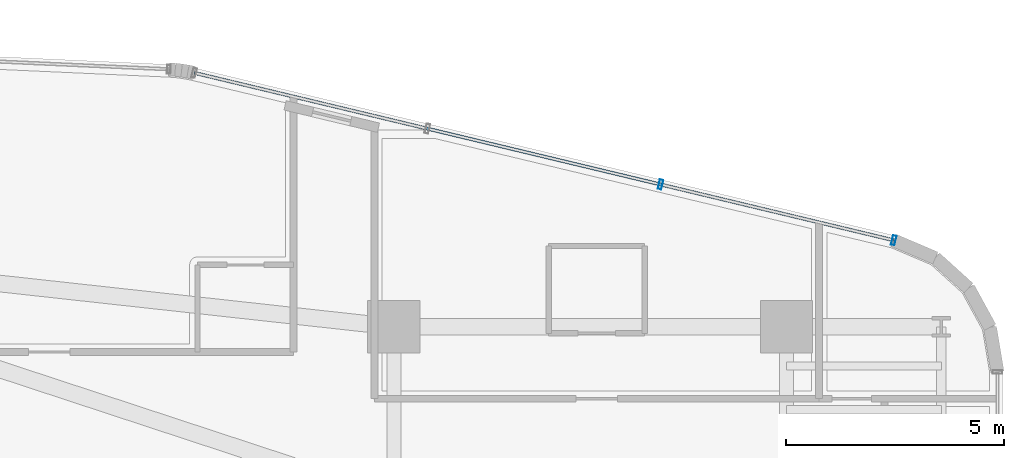
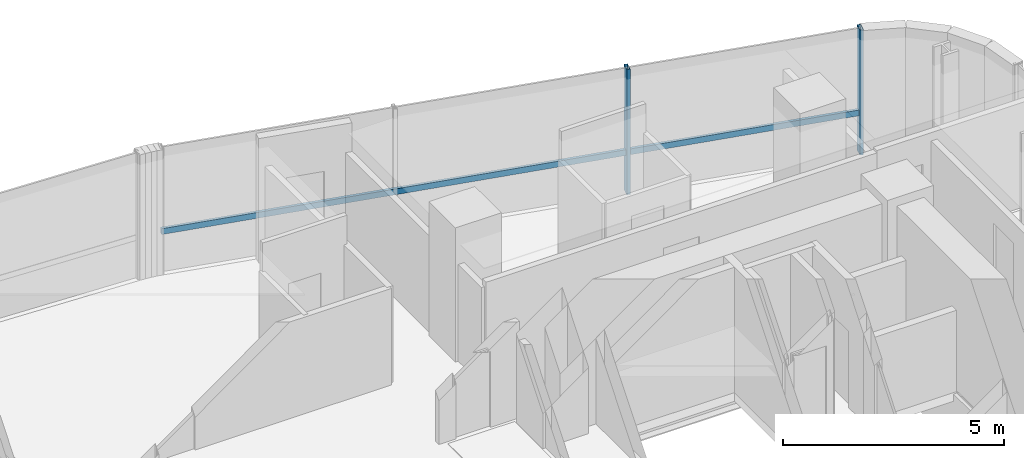
# One storey, part 24 of 35: 3 members, 1 element without a shape of its own.
"""IFC4 building model written with IfcOpenShell, lengths in metres."""

from ifc_helpers import new_model, si_unit, direction, frame, origin, origin_2d, place, context, subcontext, project, spatial, hollow_rectangle, extrude, source, transform, mapped, material, material_profile, profile_set, type_object, element, aggregate, save


model = new_model("IFC4")

# Units and contexts
model_context = context("Model", 3, precision=1e-05, world=origin(), true_north=direction((0.0, 1.0)))
body_context = subcontext(model_context, "Body", "Model", "MODEL_VIEW")
ifc_project = project(units=[si_unit("LENGTHUNIT", "METRE"), si_unit("AREAUNIT", "SQUARE_METRE"), si_unit("VOLUMEUNIT", "CUBIC_METRE"), si_unit("PLANEANGLEUNIT", "RADIAN"), si_unit("MASSUNIT", "GRAM", prefix="KILO")], contexts=[model_context])

# Site, building, storey
site_placement = place(None, origin())
site = spatial("IfcSite", under=ifc_project, at=site_placement, CompositionType="ELEMENT")
building_placement = place(site_placement, origin())
building = spatial("IfcBuilding", under=site, at=building_placement, Name="Valdorenza Pilgrim Sanctuary Tower", CompositionType="ELEMENT")
storey_placement = place(building_placement, frame((0.0, 0.0, 116.800048828125)))
storey = spatial("IfcBuildingStorey", under=building, at=storey_placement, Name="L29", CompositionType="ELEMENT", Elevation=116.800048828125)

# Curtain wall, members
ifc_material_1 = material(Name="Curtain-wall IGU glazing", Category="glass")
curtain_wall_type = type_object("IfcCurtainWallType", Name="CW-SYS-03", PredefinedType="NOTDEFINED", material=ifc_material_1)
curtain_wall_placement = place(storey_placement, origin())
curtain_wall = element("IfcCurtainWall", 1, at=curtain_wall_placement, inside=storey, type_object=curtain_wall_type, Name="L29 Curtain Wall CW-L29-1-16", PredefinedType="NOTDEFINED")
ifc_material_2 = material(Name="Anodised aluminium AW-6060", Category="aluminium")
ifc_material_profile_1 = material_profile(ifc_material_2, hollow_rectangle(XDim=0.0849609375, YDim=0.219970703125, WallThickness=0.0048828125, at=origin_2d()), Name="ALU-M 220x85x5")
ifc_profile_set_1 = profile_set([ifc_material_profile_1], Name="Anodised aluminium AW-6060")
member_type_1 = type_object("IfcMemberType", Name="CW-MUL-03", PredefinedType="MULLION", material=ifc_profile_set_1)
shared_shape_1 = source(origin(), body_context, "Body", "SweptSolid", [
    extrude(hollow_rectangle(XDim=0.0849609375, YDim=0.219970703125, WallThickness=0.0048828125, at=origin_2d()), origin(), (0.0, 0.0, 1.0), 3.4599609375),
])
member_1_placement = place(storey_placement, frame((21.964111328125, 16.7626953125, 0.0), z_axis=(0.0, 0.0, 1.0), x_axis=(0.972528596343, -0.232783438617, 0.0)))
member_1 = element("IfcMember", 2, at=member_1_placement, type_object=member_type_1, Name="CW-L29-1-16 Mullion 3", PredefinedType="MULLION", context=body_context, shape_type="MappedRepresentation", body=[
    mapped(shared_shape_1, transform((0.0, 0.0, 0.0), x_axis=(1.0, 0.0, 0.0), y_axis=(0.0, 1.0, 0.0), z_axis=(0.0, 0.0, 1.0), scale=1.0)),
])
member_2_placement = place(storey_placement, frame((27.310302734375, 15.48291015625, 0.0), z_axis=(0.0, 0.0, 1.0), x_axis=(0.972528596343, -0.232783438617, 0.0)))
member_2 = element("IfcMember", 3, at=member_2_placement, type_object=member_type_1, Name="CW-L29-1-16 Mullion 4", PredefinedType="MULLION", context=body_context, shape_type="MappedRepresentation", body=[
    mapped(shared_shape_1, transform((0.0, 0.0, 0.0), x_axis=(1.0, 0.0, 0.0), y_axis=(0.0, 1.0, 0.0), z_axis=(0.0, 0.0, 1.0), scale=1.0)),
])
ifc_material_profile_2 = material_profile(ifc_material_2, hollow_rectangle(XDim=0.074951171875, YDim=0.159912109375, WallThickness=0.00390625, at=origin_2d()), Name="ALU-T 160x75x4")
ifc_profile_set_2 = profile_set([ifc_material_profile_2], Name="Anodised aluminium AW-6060")
member_type_2 = type_object("IfcMemberType", Name="CW-TRN-03", PredefinedType="USERDEFINED", material=ifc_profile_set_2)
shared_shape_2 = source(origin(), body_context, "Body", "SweptSolid", [
    extrude(hollow_rectangle(XDim=0.074951171875, YDim=0.159912109375, WallThickness=0.00390625, at=origin_2d()), origin(), (0.0, 0.0, 1.0), 16.491943359375),
])
member_3_placement = place(storey_placement, frame((11.271484375, 19.322021484375, 1.119873046875), z_axis=(0.972527548122, -0.232787817859, 0.0), x_axis=(0.232787817859, 0.972527548122, 0.0)))
member_3 = element("IfcMember", 4, at=member_3_placement, type_object=member_type_2, Name="CW-L29-1-16 Transom 1", ObjectType="TRANSOM", PredefinedType="USERDEFINED", context=body_context, shape_type="MappedRepresentation", body=[
    mapped(shared_shape_2, transform((0.0, 0.0, 0.0), x_axis=(1.0, 0.0, 0.0), y_axis=(0.0, 1.0, 0.0), z_axis=(0.0, 0.0, 1.0), scale=1.0)),
])
aggregate(curtain_wall, [member_1, member_2, member_3])

save(model, "model.ifc")
